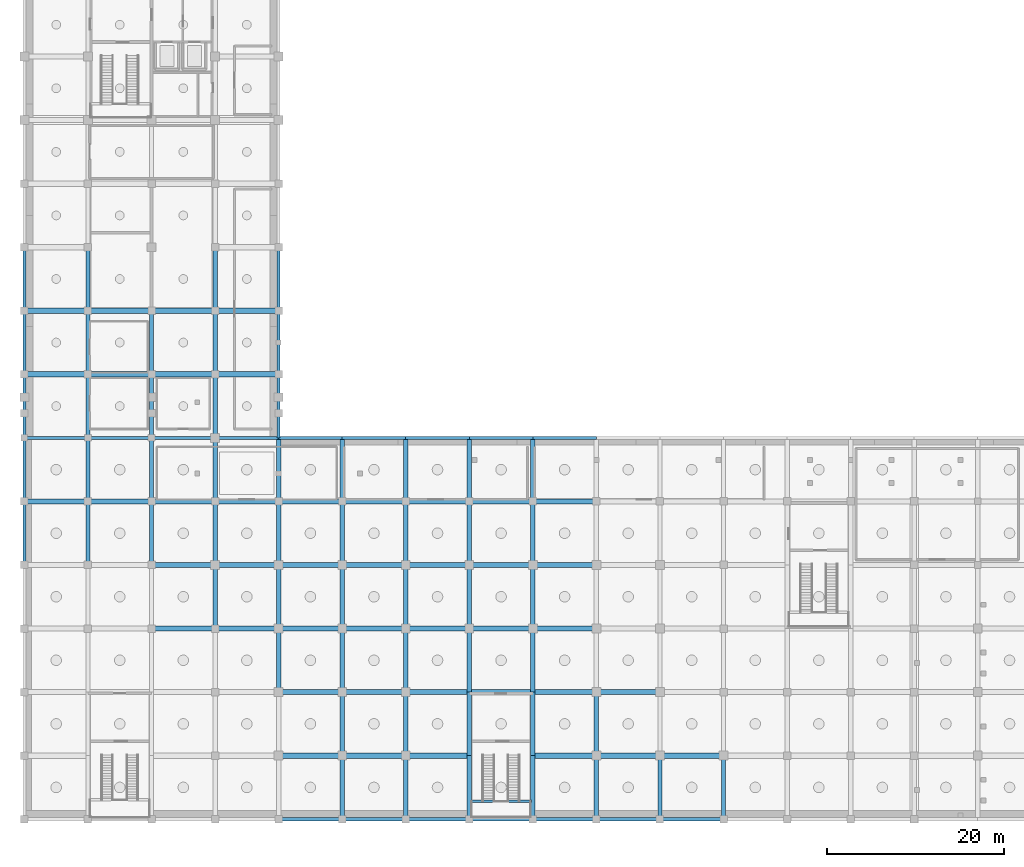
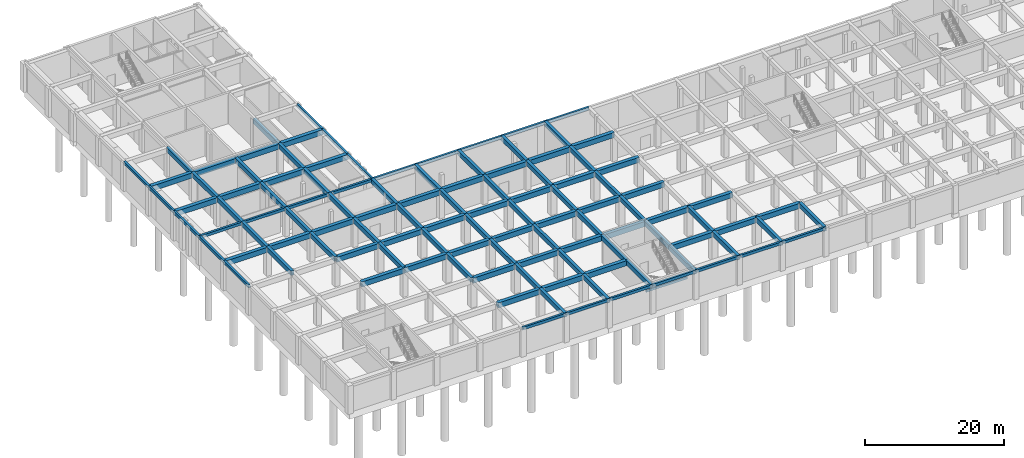
# One storey, part 3 of 15: 115 beams.
"""IFC4 building model written with IfcOpenShell, lengths in metres."""

from ifc_helpers import new_model, si_unit, direction, frame, origin, origin_2d, place, context, subcontext, project, spatial, rectangle, extrude, material, material_profile, profile_set, type_object, element, save


model = new_model("IFC4")

# Units and contexts
model_context = context("Model", 3, precision=1e-05, world=origin(), true_north=direction((0.0, 1.0)))
body_context = subcontext(model_context, "Body", "Model", "MODEL_VIEW")
ifc_project = project(units=[si_unit("LENGTHUNIT", "METRE"), si_unit("AREAUNIT", "SQUARE_METRE"), si_unit("VOLUMEUNIT", "CUBIC_METRE"), si_unit("PLANEANGLEUNIT", "RADIAN"), si_unit("MASSUNIT", "GRAM", prefix="KILO")], contexts=[model_context])

# Site, building, storey
site_placement = place(None, origin())
site = spatial("IfcSite", under=ifc_project, at=site_placement, CompositionType="ELEMENT")
building_placement = place(site_placement, origin())
building = spatial("IfcBuilding", under=site, at=building_placement, Name="Leyfeld Transit Interchange", CompositionType="ELEMENT")
storey_placement = place(building_placement, frame((0.0, 0.0, -10.800048828125)))
storey = spatial("IfcBuildingStorey", under=building, at=storey_placement, Name="B02", CompositionType="ELEMENT", Elevation=-10.800048828125)

# Beams
ifc_material = material(Name="Concrete C35/45", Category="concrete")
ifc_material_profile_1 = material_profile(ifc_material, rectangle(XDim=0.300048828125, YDim=0.39990234375, at=origin_2d()), Name="RC 400x300")
ifc_profile_set_1 = profile_set([ifc_material_profile_1], Name="Concrete C35/45")
beam_type_1 = type_object("IfcBeamType", Name="BM-RC-400x300", PredefinedType="LINTEL", material=ifc_profile_set_1)
beam_1_placement = place(storey_placement, frame((50.56494140625, 16.429931640625, 2.5), z_axis=(1.0, 0.0, 0.0), x_axis=(0.0, 1.0, 0.0)))
element("IfcBeam", 1, at=beam_1_placement, inside=storey, type_object=beam_type_1, Name="Stair ST-08 B02 Half-Landing Corbel", PredefinedType="LINTEL", context=body_context, shape_type="SweptSolid", body=[
    extrude(rectangle(XDim=0.300048828125, YDim=0.39990234375, at=origin_2d()), origin(), (0.0, 0.0, 1.0), 6.8701171875),
])
ifc_material_profile_2 = material_profile(ifc_material, rectangle(XDim=0.35009765625, YDim=0.5, at=origin_2d()), Name="RC 500x350")
ifc_profile_set_2 = profile_set([ifc_material_profile_2], Name="Concrete C35/45")
beam_type_2 = type_object("IfcBeamType", Name="BM-RC-500x350", PredefinedType="SPANDREL", material=ifc_profile_set_2)
beam_2_placement = place(storey_placement, frame((0.0, 43.199951171875, 4.75), z_axis=(0.0, 1.0, 0.0), x_axis=(-1.0, 0.0, 0.0)))
element("IfcBeam", 2, at=beam_2_placement, inside=storey, type_object=beam_type_2, Name="Beam BM-B02-0000_0432-0000_0504", PredefinedType="SPANDREL", context=body_context, shape_type="SweptSolid", body=[
    extrude(rectangle(XDim=0.35009765625, YDim=0.5, at=origin_2d()), origin(), (0.0, 0.0, 1.0), 7.199951171875),
])
beam_3_placement = place(storey_placement, frame((0.0, 50.39990234375, 4.75), z_axis=(0.0, 1.0, 0.0), x_axis=(-1.0, 0.0, 0.0)))
element("IfcBeam", 3, at=beam_3_placement, inside=storey, type_object=beam_type_2, Name="Beam BM-B02-0000_0504-0000_0576", PredefinedType="SPANDREL", context=body_context, shape_type="SweptSolid", body=[
    extrude(rectangle(XDim=0.35009765625, YDim=0.5, at=origin_2d()), origin(), (0.0, 0.0, 1.0), 7.2001953125),
])
for number, where, z_axis, x_axis, name in (
    (4, (28.800048828125, 14.39990234375, 4.75), (1.0, 0.0, 0.0), (0.0, 1.0, 0.0), "Beam BM-B02-0288_0144-0360_0144"),
    (5, (36.0, 14.39990234375, 4.75), (1.0, 0.0, 0.0), (0.0, 1.0, 0.0), "Beam BM-B02-0360_0144-0432_0144"),
    (6, (43.199951171875, 14.39990234375, 4.75), (1.0, 0.0, 0.0), (0.0, 1.0, 0.0), "Beam BM-B02-0432_0144-0504_0144"),
):
    element("IfcBeam", number, at=place(storey_placement, frame(where, z_axis=z_axis, x_axis=x_axis)), inside=storey, type_object=beam_type_2, Name=name, PredefinedType="SPANDREL", context=body_context, shape_type="SweptSolid", body=[
        extrude(rectangle(XDim=0.35009765625, YDim=0.5, at=origin_2d()), origin(), (0.0, 0.0, 1.0), 7.199951171875),
    ])
beam_4_placement = place(storey_placement, frame((50.39990234375, 14.39990234375, 4.75), z_axis=(1.0, 0.0, 0.0), x_axis=(0.0, 1.0, 0.0)))
element("IfcBeam", 7, at=beam_4_placement, inside=storey, type_object=beam_type_2, Name="Beam BM-B02-0504_0144-0576_0144", PredefinedType="SPANDREL", context=body_context, shape_type="SweptSolid", body=[
    extrude(rectangle(XDim=0.35009765625, YDim=0.5, at=origin_2d()), origin(), (0.0, 0.0, 1.0), 7.2001953125),
])
for number, where, z_axis, x_axis, name in (
    (8, (57.60009765625, 14.39990234375, 4.75), (1.0, 0.0, 0.0), (0.0, 1.0, 0.0), "Beam BM-B02-0576_0144-0648_0144"),
    (9, (64.800048828125, 14.39990234375, 4.75), (1.0, 0.0, 0.0), (0.0, 1.0, 0.0), "Beam BM-B02-0648_0144-0720_0144"),
    (10, (72.0, 14.39990234375, 4.75), (1.0, 0.0, 0.0), (0.0, 1.0, 0.0), "Beam BM-B02-0720_0144-0792_0144"),
    (11, (0.0, 57.60009765625, 4.75), (1.0, 0.0, 0.0), (0.0, 1.0, 0.0), "Beam BM-B02-0000_0576-0072_0576"),
    (12, (7.199951171875, 57.60009765625, 4.75), (1.0, 0.0, 0.0), (0.0, 1.0, 0.0), "Beam BM-B02-0072_0576-0144_0576"),
):
    element("IfcBeam", number, at=place(storey_placement, frame(where, z_axis=z_axis, x_axis=x_axis)), inside=storey, type_object=beam_type_2, Name=name, PredefinedType="SPANDREL", context=body_context, shape_type="SweptSolid", body=[
        extrude(rectangle(XDim=0.35009765625, YDim=0.5, at=origin_2d()), origin(), (0.0, 0.0, 1.0), 7.199951171875),
    ])
beam_5_placement = place(storey_placement, frame((14.39990234375, 57.60009765625, 4.75), z_axis=(1.0, 0.0, 0.0), x_axis=(0.0, 1.0, 0.0)))
element("IfcBeam", 13, at=beam_5_placement, inside=storey, type_object=beam_type_2, Name="Beam BM-B02-0144_0576-0216_0576", PredefinedType="SPANDREL", context=body_context, shape_type="SweptSolid", body=[
    extrude(rectangle(XDim=0.35009765625, YDim=0.5, at=origin_2d()), origin(), (0.0, 0.0, 1.0), 7.2001953125),
])
for number, where, z_axis, x_axis, name in (
    (14, (21.60009765625, 57.60009765625, 4.75), (1.0, 0.0, 0.0), (0.0, 1.0, 0.0), "Beam BM-B02-0216_0576-0288_0576"),
    (15, (28.800048828125, 57.60009765625, 4.75), (1.0, 0.0, 0.0), (0.0, 1.0, 0.0), "Beam BM-B02-0288_0576-0360_0576"),
    (16, (36.0, 57.60009765625, 4.75), (1.0, 0.0, 0.0), (0.0, 1.0, 0.0), "Beam BM-B02-0360_0576-0432_0576"),
    (17, (43.199951171875, 57.60009765625, 4.75), (1.0, 0.0, 0.0), (0.0, 1.0, 0.0), "Beam BM-B02-0432_0576-0504_0576"),
):
    element("IfcBeam", number, at=place(storey_placement, frame(where, z_axis=z_axis, x_axis=x_axis)), inside=storey, type_object=beam_type_2, Name=name, PredefinedType="SPANDREL", context=body_context, shape_type="SweptSolid", body=[
        extrude(rectangle(XDim=0.35009765625, YDim=0.5, at=origin_2d()), origin(), (0.0, 0.0, 1.0), 7.199951171875),
    ])
beam_6_placement = place(storey_placement, frame((50.39990234375, 57.60009765625, 4.75), z_axis=(1.0, 0.0, 0.0), x_axis=(0.0, 1.0, 0.0)))
element("IfcBeam", 18, at=beam_6_placement, inside=storey, type_object=beam_type_2, Name="Beam BM-B02-0504_0576-0576_0576", PredefinedType="SPANDREL", context=body_context, shape_type="SweptSolid", body=[
    extrude(rectangle(XDim=0.35009765625, YDim=0.5, at=origin_2d()), origin(), (0.0, 0.0, 1.0), 7.2001953125),
])
for number, where, z_axis, x_axis, name in (
    (19, (57.60009765625, 57.60009765625, 4.75), (1.0, 0.0, 0.0), (0.0, 1.0, 0.0), "Beam BM-B02-0576_0576-0648_0576"),
    (20, (0.0, 57.60009765625, 4.77001953125), (0.0, 1.0, 0.0), (-1.0, 0.0, 0.0), "Beam BM-B02-0000_0576-0000_0648"),
    (21, (0.0, 64.800048828125, 4.77001953125), (0.0, 1.0, 0.0), (-1.0, 0.0, 0.0), "Beam BM-B02-0000_0648-0000_0720"),
    (22, (0.0, 72.0, 4.77001953125), (0.0, 1.0, 0.0), (-1.0, 0.0, 0.0), "Beam BM-B02-0000_0720-0000_0792"),
    (23, (28.800048828125, 57.60009765625, 4.77001953125), (0.0, 1.0, 0.0), (-1.0, 0.0, 0.0), "Beam BM-B02-0288_0576-0288_0648"),
    (24, (28.800048828125, 64.800048828125, 4.77001953125), (0.0, 1.0, 0.0), (-1.0, 0.0, 0.0), "Beam BM-B02-0288_0648-0288_0720"),
    (25, (28.800048828125, 72.0, 4.77001953125), (0.0, 1.0, 0.0), (-1.0, 0.0, 0.0), "Beam BM-B02-0288_0720-0288_0792"),
):
    element("IfcBeam", number, at=place(storey_placement, frame(where, z_axis=z_axis, x_axis=x_axis)), inside=storey, type_object=beam_type_2, Name=name, PredefinedType="SPANDREL", context=body_context, shape_type="SweptSolid", body=[
        extrude(rectangle(XDim=0.35009765625, YDim=0.5, at=origin_2d()), origin(), (0.0, 0.0, 1.0), 7.199951171875),
    ])
ifc_material_profile_3 = material_profile(ifc_material, rectangle(XDim=0.5, YDim=0.800048828125, at=origin_2d()), Name="RC 800x500")
ifc_profile_set_3 = profile_set([ifc_material_profile_3], Name="Concrete C35/45")
beam_type_3 = type_object("IfcBeamType", Name="BM-RC-800x500", PredefinedType="JOIST", material=ifc_profile_set_3)
beam_7_placement = place(storey_placement, frame((7.199951171875, 43.199951171875, 4.60009765625), z_axis=(0.0, 1.0, 0.0), x_axis=(-1.0, 0.0, 0.0)))
element("IfcBeam", 26, at=beam_7_placement, inside=storey, type_object=beam_type_3, Name="Beam BM-B02-0072_0432-0072_0504", PredefinedType="JOIST", context=body_context, shape_type="SweptSolid", body=[
    extrude(rectangle(XDim=0.5, YDim=0.800048828125, at=origin_2d()), origin(), (0.0, 0.0, 1.0), 7.199951171875),
])
beam_8_placement = place(storey_placement, frame((7.199951171875, 50.39990234375, 4.60009765625), z_axis=(0.0, 1.0, 0.0), x_axis=(-1.0, 0.0, 0.0)))
element("IfcBeam", 27, at=beam_8_placement, inside=storey, type_object=beam_type_3, Name="Beam BM-B02-0072_0504-0072_0576", PredefinedType="JOIST", context=body_context, shape_type="SweptSolid", body=[
    extrude(rectangle(XDim=0.5, YDim=0.800048828125, at=origin_2d()), origin(), (0.0, 0.0, 1.0), 7.2001953125),
])
beam_9_placement = place(storey_placement, frame((14.39990234375, 43.199951171875, 4.60009765625), z_axis=(0.0, 1.0, 0.0), x_axis=(-1.0, 0.0, 0.0)))
element("IfcBeam", 28, at=beam_9_placement, inside=storey, type_object=beam_type_3, Name="Beam BM-B02-0144_0432-0144_0504", PredefinedType="JOIST", context=body_context, shape_type="SweptSolid", body=[
    extrude(rectangle(XDim=0.5, YDim=0.800048828125, at=origin_2d()), origin(), (0.0, 0.0, 1.0), 7.199951171875),
])
beam_10_placement = place(storey_placement, frame((14.39990234375, 50.39990234375, 4.60009765625), z_axis=(0.0, 1.0, 0.0), x_axis=(-1.0, 0.0, 0.0)))
element("IfcBeam", 29, at=beam_10_placement, inside=storey, type_object=beam_type_3, Name="Beam BM-B02-0144_0504-0144_0576", PredefinedType="JOIST", context=body_context, shape_type="SweptSolid", body=[
    extrude(rectangle(XDim=0.5, YDim=0.800048828125, at=origin_2d()), origin(), (0.0, 0.0, 1.0), 7.2001953125),
])
for number, where, z_axis, x_axis, name in (
    (30, (21.60009765625, 36.0, 4.60009765625), (0.0, 1.0, 0.0), (-1.0, 0.0, 0.0), "Beam BM-B02-0216_0360-0216_0432"),
    (31, (21.60009765625, 43.199951171875, 4.60009765625), (0.0, 1.0, 0.0), (-1.0, 0.0, 0.0), "Beam BM-B02-0216_0432-0216_0504"),
):
    element("IfcBeam", number, at=place(storey_placement, frame(where, z_axis=z_axis, x_axis=x_axis)), inside=storey, type_object=beam_type_3, Name=name, PredefinedType="JOIST", context=body_context, shape_type="SweptSolid", body=[
        extrude(rectangle(XDim=0.5, YDim=0.800048828125, at=origin_2d()), origin(), (0.0, 0.0, 1.0), 7.199951171875),
    ])
beam_11_placement = place(storey_placement, frame((21.60009765625, 50.39990234375, 4.60009765625), z_axis=(0.0, 1.0, 0.0), x_axis=(-1.0, 0.0, 0.0)))
element("IfcBeam", 32, at=beam_11_placement, inside=storey, type_object=beam_type_3, Name="Beam BM-B02-0216_0504-0216_0576", PredefinedType="JOIST", context=body_context, shape_type="SweptSolid", body=[
    extrude(rectangle(XDim=0.5, YDim=0.800048828125, at=origin_2d()), origin(), (0.0, 0.0, 1.0), 7.2001953125),
])
for number, where, z_axis, x_axis, name in (
    (33, (28.800048828125, 28.800048828125, 4.60009765625), (0.0, 1.0, 0.0), (-1.0, 0.0, 0.0), "Beam BM-B02-0288_0288-0288_0360"),
    (34, (28.800048828125, 36.0, 4.60009765625), (0.0, 1.0, 0.0), (-1.0, 0.0, 0.0), "Beam BM-B02-0288_0360-0288_0432"),
    (35, (28.800048828125, 43.199951171875, 4.60009765625), (0.0, 1.0, 0.0), (-1.0, 0.0, 0.0), "Beam BM-B02-0288_0432-0288_0504"),
):
    element("IfcBeam", number, at=place(storey_placement, frame(where, z_axis=z_axis, x_axis=x_axis)), inside=storey, type_object=beam_type_3, Name=name, PredefinedType="JOIST", context=body_context, shape_type="SweptSolid", body=[
        extrude(rectangle(XDim=0.5, YDim=0.800048828125, at=origin_2d()), origin(), (0.0, 0.0, 1.0), 7.199951171875),
    ])
for number, where, z_axis, x_axis, name in (
    (36, (28.800048828125, 50.39990234375, 4.60009765625), (0.0, 1.0, 0.0), (-1.0, 0.0, 0.0), "Beam BM-B02-0288_0504-0288_0576"),
    (37, (36.0, 14.39990234375, 4.60009765625), (0.0, 1.0, 0.0), (-1.0, 0.0, 0.0), "Beam BM-B02-0360_0144-0360_0216"),
):
    element("IfcBeam", number, at=place(storey_placement, frame(where, z_axis=z_axis, x_axis=x_axis)), inside=storey, type_object=beam_type_3, Name=name, PredefinedType="JOIST", context=body_context, shape_type="SweptSolid", body=[
        extrude(rectangle(XDim=0.5, YDim=0.800048828125, at=origin_2d()), origin(), (0.0, 0.0, 1.0), 7.2001953125),
    ])
for number, where, z_axis, x_axis, name in (
    (38, (36.0, 21.60009765625, 4.60009765625), (0.0, 1.0, 0.0), (-1.0, 0.0, 0.0), "Beam BM-B02-0360_0216-0360_0288"),
    (39, (36.0, 28.800048828125, 4.60009765625), (0.0, 1.0, 0.0), (-1.0, 0.0, 0.0), "Beam BM-B02-0360_0288-0360_0360"),
    (40, (36.0, 36.0, 4.60009765625), (0.0, 1.0, 0.0), (-1.0, 0.0, 0.0), "Beam BM-B02-0360_0360-0360_0432"),
    (41, (36.0, 43.199951171875, 4.60009765625), (0.0, 1.0, 0.0), (-1.0, 0.0, 0.0), "Beam BM-B02-0360_0432-0360_0504"),
):
    element("IfcBeam", number, at=place(storey_placement, frame(where, z_axis=z_axis, x_axis=x_axis)), inside=storey, type_object=beam_type_3, Name=name, PredefinedType="JOIST", context=body_context, shape_type="SweptSolid", body=[
        extrude(rectangle(XDim=0.5, YDim=0.800048828125, at=origin_2d()), origin(), (0.0, 0.0, 1.0), 7.199951171875),
    ])
for number, where, z_axis, x_axis, name in (
    (42, (36.0, 50.39990234375, 4.60009765625), (0.0, 1.0, 0.0), (-1.0, 0.0, 0.0), "Beam BM-B02-0360_0504-0360_0576"),
    (43, (43.199951171875, 14.39990234375, 4.60009765625), (0.0, 1.0, 0.0), (-1.0, 0.0, 0.0), "Beam BM-B02-0432_0144-0432_0216"),
):
    element("IfcBeam", number, at=place(storey_placement, frame(where, z_axis=z_axis, x_axis=x_axis)), inside=storey, type_object=beam_type_3, Name=name, PredefinedType="JOIST", context=body_context, shape_type="SweptSolid", body=[
        extrude(rectangle(XDim=0.5, YDim=0.800048828125, at=origin_2d()), origin(), (0.0, 0.0, 1.0), 7.2001953125),
    ])
for number, where, z_axis, x_axis, name in (
    (44, (43.199951171875, 21.60009765625, 4.60009765625), (0.0, 1.0, 0.0), (-1.0, 0.0, 0.0), "Beam BM-B02-0432_0216-0432_0288"),
    (45, (43.199951171875, 28.800048828125, 4.60009765625), (0.0, 1.0, 0.0), (-1.0, 0.0, 0.0), "Beam BM-B02-0432_0288-0432_0360"),
    (46, (43.199951171875, 36.0, 4.60009765625), (0.0, 1.0, 0.0), (-1.0, 0.0, 0.0), "Beam BM-B02-0432_0360-0432_0432"),
    (47, (43.199951171875, 43.199951171875, 4.60009765625), (0.0, 1.0, 0.0), (-1.0, 0.0, 0.0), "Beam BM-B02-0432_0432-0432_0504"),
):
    element("IfcBeam", number, at=place(storey_placement, frame(where, z_axis=z_axis, x_axis=x_axis)), inside=storey, type_object=beam_type_3, Name=name, PredefinedType="JOIST", context=body_context, shape_type="SweptSolid", body=[
        extrude(rectangle(XDim=0.5, YDim=0.800048828125, at=origin_2d()), origin(), (0.0, 0.0, 1.0), 7.199951171875),
    ])
for number, where, z_axis, x_axis, name in (
    (48, (43.199951171875, 50.39990234375, 4.60009765625), (0.0, 1.0, 0.0), (-1.0, 0.0, 0.0), "Beam BM-B02-0432_0504-0432_0576"),
    (49, (50.39990234375, 14.39990234375, 4.60009765625), (0.0, 1.0, 0.0), (-1.0, 0.0, 0.0), "Beam BM-B02-0504_0144-0504_0216"),
):
    element("IfcBeam", number, at=place(storey_placement, frame(where, z_axis=z_axis, x_axis=x_axis)), inside=storey, type_object=beam_type_3, Name=name, PredefinedType="JOIST", context=body_context, shape_type="SweptSolid", body=[
        extrude(rectangle(XDim=0.5, YDim=0.800048828125, at=origin_2d()), origin(), (0.0, 0.0, 1.0), 7.2001953125),
    ])
for number, where, z_axis, x_axis, name in (
    (50, (50.39990234375, 21.60009765625, 4.60009765625), (0.0, 1.0, 0.0), (-1.0, 0.0, 0.0), "Beam BM-B02-0504_0216-0504_0288"),
    (51, (50.39990234375, 28.800048828125, 4.60009765625), (0.0, 1.0, 0.0), (-1.0, 0.0, 0.0), "Beam BM-B02-0504_0288-0504_0360"),
    (52, (50.39990234375, 36.0, 4.60009765625), (0.0, 1.0, 0.0), (-1.0, 0.0, 0.0), "Beam BM-B02-0504_0360-0504_0432"),
    (53, (50.39990234375, 43.199951171875, 4.60009765625), (0.0, 1.0, 0.0), (-1.0, 0.0, 0.0), "Beam BM-B02-0504_0432-0504_0504"),
):
    element("IfcBeam", number, at=place(storey_placement, frame(where, z_axis=z_axis, x_axis=x_axis)), inside=storey, type_object=beam_type_3, Name=name, PredefinedType="JOIST", context=body_context, shape_type="SweptSolid", body=[
        extrude(rectangle(XDim=0.5, YDim=0.800048828125, at=origin_2d()), origin(), (0.0, 0.0, 1.0), 7.199951171875),
    ])
for number, where, z_axis, x_axis, name in (
    (54, (50.39990234375, 50.39990234375, 4.60009765625), (0.0, 1.0, 0.0), (-1.0, 0.0, 0.0), "Beam BM-B02-0504_0504-0504_0576"),
    (55, (57.60009765625, 14.39990234375, 4.60009765625), (0.0, 1.0, 0.0), (-1.0, 0.0, 0.0), "Beam BM-B02-0576_0144-0576_0216"),
):
    element("IfcBeam", number, at=place(storey_placement, frame(where, z_axis=z_axis, x_axis=x_axis)), inside=storey, type_object=beam_type_3, Name=name, PredefinedType="JOIST", context=body_context, shape_type="SweptSolid", body=[
        extrude(rectangle(XDim=0.5, YDim=0.800048828125, at=origin_2d()), origin(), (0.0, 0.0, 1.0), 7.2001953125),
    ])
for number, where, z_axis, x_axis, name in (
    (56, (57.60009765625, 21.60009765625, 4.60009765625), (0.0, 1.0, 0.0), (-1.0, 0.0, 0.0), "Beam BM-B02-0576_0216-0576_0288"),
    (57, (57.60009765625, 28.800048828125, 4.60009765625), (0.0, 1.0, 0.0), (-1.0, 0.0, 0.0), "Beam BM-B02-0576_0288-0576_0360"),
    (58, (57.60009765625, 36.0, 4.60009765625), (0.0, 1.0, 0.0), (-1.0, 0.0, 0.0), "Beam BM-B02-0576_0360-0576_0432"),
    (59, (57.60009765625, 43.199951171875, 4.60009765625), (0.0, 1.0, 0.0), (-1.0, 0.0, 0.0), "Beam BM-B02-0576_0432-0576_0504"),
):
    element("IfcBeam", number, at=place(storey_placement, frame(where, z_axis=z_axis, x_axis=x_axis)), inside=storey, type_object=beam_type_3, Name=name, PredefinedType="JOIST", context=body_context, shape_type="SweptSolid", body=[
        extrude(rectangle(XDim=0.5, YDim=0.800048828125, at=origin_2d()), origin(), (0.0, 0.0, 1.0), 7.199951171875),
    ])
for number, where, z_axis, x_axis, name in (
    (60, (57.60009765625, 50.39990234375, 4.60009765625), (0.0, 1.0, 0.0), (-1.0, 0.0, 0.0), "Beam BM-B02-0576_0504-0576_0576"),
    (61, (64.800048828125, 14.39990234375, 4.60009765625), (0.0, 1.0, 0.0), (-1.0, 0.0, 0.0), "Beam BM-B02-0648_0144-0648_0216"),
):
    element("IfcBeam", number, at=place(storey_placement, frame(where, z_axis=z_axis, x_axis=x_axis)), inside=storey, type_object=beam_type_3, Name=name, PredefinedType="JOIST", context=body_context, shape_type="SweptSolid", body=[
        extrude(rectangle(XDim=0.5, YDim=0.800048828125, at=origin_2d()), origin(), (0.0, 0.0, 1.0), 7.2001953125),
    ])
beam_12_placement = place(storey_placement, frame((64.800048828125, 21.60009765625, 4.60009765625), z_axis=(0.0, 1.0, 0.0), x_axis=(-1.0, 0.0, 0.0)))
element("IfcBeam", 62, at=beam_12_placement, inside=storey, type_object=beam_type_3, Name="Beam BM-B02-0648_0216-0648_0288", PredefinedType="JOIST", context=body_context, shape_type="SweptSolid", body=[
    extrude(rectangle(XDim=0.5, YDim=0.800048828125, at=origin_2d()), origin(), (0.0, 0.0, 1.0), 7.199951171875),
])
for number, where, z_axis, x_axis, name in (
    (63, (72.0, 14.39990234375, 4.60009765625), (0.0, 1.0, 0.0), (-1.0, 0.0, 0.0), "Beam BM-B02-0720_0144-0720_0216"),
    (64, (79.199951171875, 14.39990234375, 4.60009765625), (0.0, 1.0, 0.0), (-1.0, 0.0, 0.0), "Beam BM-B02-0792_0144-0792_0216"),
):
    element("IfcBeam", number, at=place(storey_placement, frame(where, z_axis=z_axis, x_axis=x_axis)), inside=storey, type_object=beam_type_3, Name=name, PredefinedType="JOIST", context=body_context, shape_type="SweptSolid", body=[
        extrude(rectangle(XDim=0.5, YDim=0.800048828125, at=origin_2d()), origin(), (0.0, 0.0, 1.0), 7.2001953125),
    ])
for number, where, z_axis, x_axis, name in (
    (65, (7.199951171875, 57.60009765625, 4.6201171875), (0.0, 1.0, 0.0), (-1.0, 0.0, 0.0), "Beam BM-B02-0072_0576-0072_0648"),
    (66, (7.199951171875, 64.800048828125, 4.6201171875), (0.0, 1.0, 0.0), (-1.0, 0.0, 0.0), "Beam BM-B02-0072_0648-0072_0720"),
    (67, (7.199951171875, 72.0, 4.6201171875), (0.0, 1.0, 0.0), (-1.0, 0.0, 0.0), "Beam BM-B02-0072_0720-0072_0792"),
    (68, (14.39990234375, 57.60009765625, 4.6201171875), (0.0, 1.0, 0.0), (-1.0, 0.0, 0.0), "Beam BM-B02-0144_0576-0144_0648"),
    (69, (14.39990234375, 64.800048828125, 4.6201171875), (0.0, 1.0, 0.0), (-1.0, 0.0, 0.0), "Beam BM-B02-0144_0648-0144_0720"),
    (70, (21.60009765625, 57.60009765625, 4.6201171875), (0.0, 1.0, 0.0), (-1.0, 0.0, 0.0), "Beam BM-B02-0216_0576-0216_0648"),
    (71, (21.60009765625, 64.800048828125, 4.6201171875), (0.0, 1.0, 0.0), (-1.0, 0.0, 0.0), "Beam BM-B02-0216_0648-0216_0720"),
    (72, (21.60009765625, 72.0, 4.6201171875), (0.0, 1.0, 0.0), (-1.0, 0.0, 0.0), "Beam BM-B02-0216_0720-0216_0792"),
):
    element("IfcBeam", number, at=place(storey_placement, frame(where, z_axis=z_axis, x_axis=x_axis)), inside=storey, type_object=beam_type_3, Name=name, PredefinedType="JOIST", context=body_context, shape_type="SweptSolid", body=[
        extrude(rectangle(XDim=0.5, YDim=0.800048828125, at=origin_2d()), origin(), (0.0, 0.0, 1.0), 7.199951171875),
    ])
ifc_material_profile_4 = material_profile(ifc_material, rectangle(XDim=0.60009765625, YDim=0.89990234375, at=origin_2d()), Name="RC 900x600")
ifc_profile_set_4 = profile_set([ifc_material_profile_4], Name="Concrete C35/45")
beam_type_4 = type_object("IfcBeamType", Name="BM-RC-900x600", PredefinedType="JOIST", material=ifc_profile_set_4)
for number, where, z_axis, x_axis, name in (
    (73, (28.800048828125, 21.60009765625, 4.550048828125), (1.0, 0.0, 0.0), (0.0, 1.0, 0.0), "Beam BM-B02-0288_0216-0360_0216"),
    (74, (36.0, 21.60009765625, 4.550048828125), (1.0, 0.0, 0.0), (0.0, 1.0, 0.0), "Beam BM-B02-0360_0216-0432_0216"),
    (75, (43.199951171875, 21.60009765625, 4.550048828125), (1.0, 0.0, 0.0), (0.0, 1.0, 0.0), "Beam BM-B02-0432_0216-0504_0216"),
    (76, (57.60009765625, 21.60009765625, 4.550048828125), (1.0, 0.0, 0.0), (0.0, 1.0, 0.0), "Beam BM-B02-0576_0216-0648_0216"),
    (77, (64.800048828125, 21.60009765625, 4.550048828125), (1.0, 0.0, 0.0), (0.0, 1.0, 0.0), "Beam BM-B02-0648_0216-0720_0216"),
    (78, (72.0, 21.60009765625, 4.550048828125), (1.0, 0.0, 0.0), (0.0, 1.0, 0.0), "Beam BM-B02-0720_0216-0792_0216"),
    (79, (28.800048828125, 28.800048828125, 4.550048828125), (1.0, 0.0, 0.0), (0.0, 1.0, 0.0), "Beam BM-B02-0288_0288-0360_0288"),
    (80, (36.0, 28.800048828125, 4.550048828125), (1.0, 0.0, 0.0), (0.0, 1.0, 0.0), "Beam BM-B02-0360_0288-0432_0288"),
    (81, (43.199951171875, 28.800048828125, 4.550048828125), (1.0, 0.0, 0.0), (0.0, 1.0, 0.0), "Beam BM-B02-0432_0288-0504_0288"),
):
    element("IfcBeam", number, at=place(storey_placement, frame(where, z_axis=z_axis, x_axis=x_axis)), inside=storey, type_object=beam_type_4, Name=name, PredefinedType="JOIST", context=body_context, shape_type="SweptSolid", body=[
        extrude(rectangle(XDim=0.60009765625, YDim=0.89990234375, at=origin_2d()), origin(), (0.0, 0.0, 1.0), 7.199951171875),
    ])
beam_13_placement = place(storey_placement, frame((50.39990234375, 28.800048828125, 4.550048828125), z_axis=(1.0, 0.0, 0.0), x_axis=(0.0, 1.0, 0.0)))
element("IfcBeam", 82, at=beam_13_placement, inside=storey, type_object=beam_type_4, Name="Beam BM-B02-0504_0288-0576_0288", PredefinedType="JOIST", context=body_context, shape_type="SweptSolid", body=[
    extrude(rectangle(XDim=0.60009765625, YDim=0.89990234375, at=origin_2d()), origin(), (0.0, 0.0, 1.0), 7.2001953125),
])
for number, where, z_axis, x_axis, name in (
    (83, (57.60009765625, 28.800048828125, 4.550048828125), (1.0, 0.0, 0.0), (0.0, 1.0, 0.0), "Beam BM-B02-0576_0288-0648_0288"),
    (84, (64.800048828125, 28.800048828125, 4.550048828125), (1.0, 0.0, 0.0), (0.0, 1.0, 0.0), "Beam BM-B02-0648_0288-0720_0288"),
):
    element("IfcBeam", number, at=place(storey_placement, frame(where, z_axis=z_axis, x_axis=x_axis)), inside=storey, type_object=beam_type_4, Name=name, PredefinedType="JOIST", context=body_context, shape_type="SweptSolid", body=[
        extrude(rectangle(XDim=0.60009765625, YDim=0.89990234375, at=origin_2d()), origin(), (0.0, 0.0, 1.0), 7.199951171875),
    ])
beam_14_placement = place(storey_placement, frame((14.39990234375, 36.0, 4.550048828125), z_axis=(1.0, 0.0, 0.0), x_axis=(0.0, 1.0, 0.0)))
element("IfcBeam", 85, at=beam_14_placement, inside=storey, type_object=beam_type_4, Name="Beam BM-B02-0144_0360-0216_0360", PredefinedType="JOIST", context=body_context, shape_type="SweptSolid", body=[
    extrude(rectangle(XDim=0.60009765625, YDim=0.89990234375, at=origin_2d()), origin(), (0.0, 0.0, 1.0), 7.2001953125),
])
for number, where, z_axis, x_axis, name in (
    (86, (21.60009765625, 36.0, 4.550048828125), (1.0, 0.0, 0.0), (0.0, 1.0, 0.0), "Beam BM-B02-0216_0360-0288_0360"),
    (87, (28.800048828125, 36.0, 4.550048828125), (1.0, 0.0, 0.0), (0.0, 1.0, 0.0), "Beam BM-B02-0288_0360-0360_0360"),
    (88, (36.0, 36.0, 4.550048828125), (1.0, 0.0, 0.0), (0.0, 1.0, 0.0), "Beam BM-B02-0360_0360-0432_0360"),
    (89, (43.199951171875, 36.0, 4.550048828125), (1.0, 0.0, 0.0), (0.0, 1.0, 0.0), "Beam BM-B02-0432_0360-0504_0360"),
):
    element("IfcBeam", number, at=place(storey_placement, frame(where, z_axis=z_axis, x_axis=x_axis)), inside=storey, type_object=beam_type_4, Name=name, PredefinedType="JOIST", context=body_context, shape_type="SweptSolid", body=[
        extrude(rectangle(XDim=0.60009765625, YDim=0.89990234375, at=origin_2d()), origin(), (0.0, 0.0, 1.0), 7.199951171875),
    ])
beam_15_placement = place(storey_placement, frame((50.39990234375, 36.0, 4.550048828125), z_axis=(1.0, 0.0, 0.0), x_axis=(0.0, 1.0, 0.0)))
element("IfcBeam", 90, at=beam_15_placement, inside=storey, type_object=beam_type_4, Name="Beam BM-B02-0504_0360-0576_0360", PredefinedType="JOIST", context=body_context, shape_type="SweptSolid", body=[
    extrude(rectangle(XDim=0.60009765625, YDim=0.89990234375, at=origin_2d()), origin(), (0.0, 0.0, 1.0), 7.2001953125),
])
beam_16_placement = place(storey_placement, frame((57.60009765625, 36.0, 4.550048828125), z_axis=(1.0, 0.0, 0.0), x_axis=(0.0, 1.0, 0.0)))
element("IfcBeam", 91, at=beam_16_placement, inside=storey, type_object=beam_type_4, Name="Beam BM-B02-0576_0360-0648_0360", PredefinedType="JOIST", context=body_context, shape_type="SweptSolid", body=[
    extrude(rectangle(XDim=0.60009765625, YDim=0.89990234375, at=origin_2d()), origin(), (0.0, 0.0, 1.0), 7.199951171875),
])
beam_17_placement = place(storey_placement, frame((14.39990234375, 43.199951171875, 4.550048828125), z_axis=(1.0, 0.0, 0.0), x_axis=(0.0, 1.0, 0.0)))
element("IfcBeam", 92, at=beam_17_placement, inside=storey, type_object=beam_type_4, Name="Beam BM-B02-0144_0432-0216_0432", PredefinedType="JOIST", context=body_context, shape_type="SweptSolid", body=[
    extrude(rectangle(XDim=0.60009765625, YDim=0.89990234375, at=origin_2d()), origin(), (0.0, 0.0, 1.0), 7.2001953125),
])
for number, where, z_axis, x_axis, name in (
    (93, (21.60009765625, 43.199951171875, 4.550048828125), (1.0, 0.0, 0.0), (0.0, 1.0, 0.0), "Beam BM-B02-0216_0432-0288_0432"),
    (94, (28.800048828125, 43.199951171875, 4.550048828125), (1.0, 0.0, 0.0), (0.0, 1.0, 0.0), "Beam BM-B02-0288_0432-0360_0432"),
    (95, (36.0, 43.199951171875, 4.550048828125), (1.0, 0.0, 0.0), (0.0, 1.0, 0.0), "Beam BM-B02-0360_0432-0432_0432"),
    (96, (43.199951171875, 43.199951171875, 4.550048828125), (1.0, 0.0, 0.0), (0.0, 1.0, 0.0), "Beam BM-B02-0432_0432-0504_0432"),
):
    element("IfcBeam", number, at=place(storey_placement, frame(where, z_axis=z_axis, x_axis=x_axis)), inside=storey, type_object=beam_type_4, Name=name, PredefinedType="JOIST", context=body_context, shape_type="SweptSolid", body=[
        extrude(rectangle(XDim=0.60009765625, YDim=0.89990234375, at=origin_2d()), origin(), (0.0, 0.0, 1.0), 7.199951171875),
    ])
beam_18_placement = place(storey_placement, frame((50.39990234375, 43.199951171875, 4.550048828125), z_axis=(1.0, 0.0, 0.0), x_axis=(0.0, 1.0, 0.0)))
element("IfcBeam", 97, at=beam_18_placement, inside=storey, type_object=beam_type_4, Name="Beam BM-B02-0504_0432-0576_0432", PredefinedType="JOIST", context=body_context, shape_type="SweptSolid", body=[
    extrude(rectangle(XDim=0.60009765625, YDim=0.89990234375, at=origin_2d()), origin(), (0.0, 0.0, 1.0), 7.2001953125),
])
for number, where, z_axis, x_axis, name in (
    (98, (57.60009765625, 43.199951171875, 4.550048828125), (1.0, 0.0, 0.0), (0.0, 1.0, 0.0), "Beam BM-B02-0576_0432-0648_0432"),
    (99, (0.0, 50.39990234375, 4.550048828125), (1.0, 0.0, 0.0), (0.0, 1.0, 0.0), "Beam BM-B02-0000_0504-0072_0504"),
    (100, (7.199951171875, 50.39990234375, 4.550048828125), (1.0, 0.0, 0.0), (0.0, 1.0, 0.0), "Beam BM-B02-0072_0504-0144_0504"),
):
    element("IfcBeam", number, at=place(storey_placement, frame(where, z_axis=z_axis, x_axis=x_axis)), inside=storey, type_object=beam_type_4, Name=name, PredefinedType="JOIST", context=body_context, shape_type="SweptSolid", body=[
        extrude(rectangle(XDim=0.60009765625, YDim=0.89990234375, at=origin_2d()), origin(), (0.0, 0.0, 1.0), 7.199951171875),
    ])
beam_19_placement = place(storey_placement, frame((14.39990234375, 50.39990234375, 4.550048828125), z_axis=(1.0, 0.0, 0.0), x_axis=(0.0, 1.0, 0.0)))
element("IfcBeam", 101, at=beam_19_placement, inside=storey, type_object=beam_type_4, Name="Beam BM-B02-0144_0504-0216_0504", PredefinedType="JOIST", context=body_context, shape_type="SweptSolid", body=[
    extrude(rectangle(XDim=0.60009765625, YDim=0.89990234375, at=origin_2d()), origin(), (0.0, 0.0, 1.0), 7.2001953125),
])
for number, where, z_axis, x_axis, name in (
    (102, (21.60009765625, 50.39990234375, 4.550048828125), (1.0, 0.0, 0.0), (0.0, 1.0, 0.0), "Beam BM-B02-0216_0504-0288_0504"),
    (103, (28.800048828125, 50.39990234375, 4.550048828125), (1.0, 0.0, 0.0), (0.0, 1.0, 0.0), "Beam BM-B02-0288_0504-0360_0504"),
    (104, (36.0, 50.39990234375, 4.550048828125), (1.0, 0.0, 0.0), (0.0, 1.0, 0.0), "Beam BM-B02-0360_0504-0432_0504"),
    (105, (43.199951171875, 50.39990234375, 4.550048828125), (1.0, 0.0, 0.0), (0.0, 1.0, 0.0), "Beam BM-B02-0432_0504-0504_0504"),
):
    element("IfcBeam", number, at=place(storey_placement, frame(where, z_axis=z_axis, x_axis=x_axis)), inside=storey, type_object=beam_type_4, Name=name, PredefinedType="JOIST", context=body_context, shape_type="SweptSolid", body=[
        extrude(rectangle(XDim=0.60009765625, YDim=0.89990234375, at=origin_2d()), origin(), (0.0, 0.0, 1.0), 7.199951171875),
    ])
beam_20_placement = place(storey_placement, frame((50.39990234375, 50.39990234375, 4.550048828125), z_axis=(1.0, 0.0, 0.0), x_axis=(0.0, 1.0, 0.0)))
element("IfcBeam", 106, at=beam_20_placement, inside=storey, type_object=beam_type_4, Name="Beam BM-B02-0504_0504-0576_0504", PredefinedType="JOIST", context=body_context, shape_type="SweptSolid", body=[
    extrude(rectangle(XDim=0.60009765625, YDim=0.89990234375, at=origin_2d()), origin(), (0.0, 0.0, 1.0), 7.2001953125),
])
for number, where, z_axis, x_axis, name in (
    (107, (57.60009765625, 50.39990234375, 4.550048828125), (1.0, 0.0, 0.0), (0.0, 1.0, 0.0), "Beam BM-B02-0576_0504-0648_0504"),
    (108, (0.0, 64.800048828125, 4.570068359375), (1.0, 0.0, 0.0), (0.0, 1.0, 0.0), "Beam BM-B02-0000_0648-0072_0648"),
    (109, (7.199951171875, 64.800048828125, 4.570068359375), (1.0, 0.0, 0.0), (0.0, 1.0, 0.0), "Beam BM-B02-0072_0648-0144_0648"),
):
    element("IfcBeam", number, at=place(storey_placement, frame(where, z_axis=z_axis, x_axis=x_axis)), inside=storey, type_object=beam_type_4, Name=name, PredefinedType="JOIST", context=body_context, shape_type="SweptSolid", body=[
        extrude(rectangle(XDim=0.60009765625, YDim=0.89990234375, at=origin_2d()), origin(), (0.0, 0.0, 1.0), 7.199951171875),
    ])
beam_21_placement = place(storey_placement, frame((14.39990234375, 64.800048828125, 4.570068359375), z_axis=(1.0, 0.0, 0.0), x_axis=(0.0, 1.0, 0.0)))
element("IfcBeam", 110, at=beam_21_placement, inside=storey, type_object=beam_type_4, Name="Beam BM-B02-0144_0648-0216_0648", PredefinedType="JOIST", context=body_context, shape_type="SweptSolid", body=[
    extrude(rectangle(XDim=0.60009765625, YDim=0.89990234375, at=origin_2d()), origin(), (0.0, 0.0, 1.0), 7.2001953125),
])
for number, where, z_axis, x_axis, name in (
    (111, (21.60009765625, 64.800048828125, 4.570068359375), (1.0, 0.0, 0.0), (0.0, 1.0, 0.0), "Beam BM-B02-0216_0648-0288_0648"),
    (112, (0.0, 72.0, 4.570068359375), (1.0, 0.0, 0.0), (0.0, 1.0, 0.0), "Beam BM-B02-0000_0720-0072_0720"),
    (113, (7.199951171875, 72.0, 4.570068359375), (1.0, 0.0, 0.0), (0.0, 1.0, 0.0), "Beam BM-B02-0072_0720-0144_0720"),
):
    element("IfcBeam", number, at=place(storey_placement, frame(where, z_axis=z_axis, x_axis=x_axis)), inside=storey, type_object=beam_type_4, Name=name, PredefinedType="JOIST", context=body_context, shape_type="SweptSolid", body=[
        extrude(rectangle(XDim=0.60009765625, YDim=0.89990234375, at=origin_2d()), origin(), (0.0, 0.0, 1.0), 7.199951171875),
    ])
beam_22_placement = place(storey_placement, frame((14.39990234375, 72.0, 4.570068359375), z_axis=(1.0, 0.0, 0.0), x_axis=(0.0, 1.0, 0.0)))
element("IfcBeam", 114, at=beam_22_placement, inside=storey, type_object=beam_type_4, Name="Beam BM-B02-0144_0720-0216_0720", PredefinedType="JOIST", context=body_context, shape_type="SweptSolid", body=[
    extrude(rectangle(XDim=0.60009765625, YDim=0.89990234375, at=origin_2d()), origin(), (0.0, 0.0, 1.0), 7.2001953125),
])
beam_23_placement = place(storey_placement, frame((21.60009765625, 72.0, 4.570068359375), z_axis=(1.0, 0.0, 0.0), x_axis=(0.0, 1.0, 0.0)))
element("IfcBeam", 115, at=beam_23_placement, inside=storey, type_object=beam_type_4, Name="Beam BM-B02-0216_0720-0288_0720", PredefinedType="JOIST", context=body_context, shape_type="SweptSolid", body=[
    extrude(rectangle(XDim=0.60009765625, YDim=0.89990234375, at=origin_2d()), origin(), (0.0, 0.0, 1.0), 7.199951171875),
])

save(model, "model.ifc")
